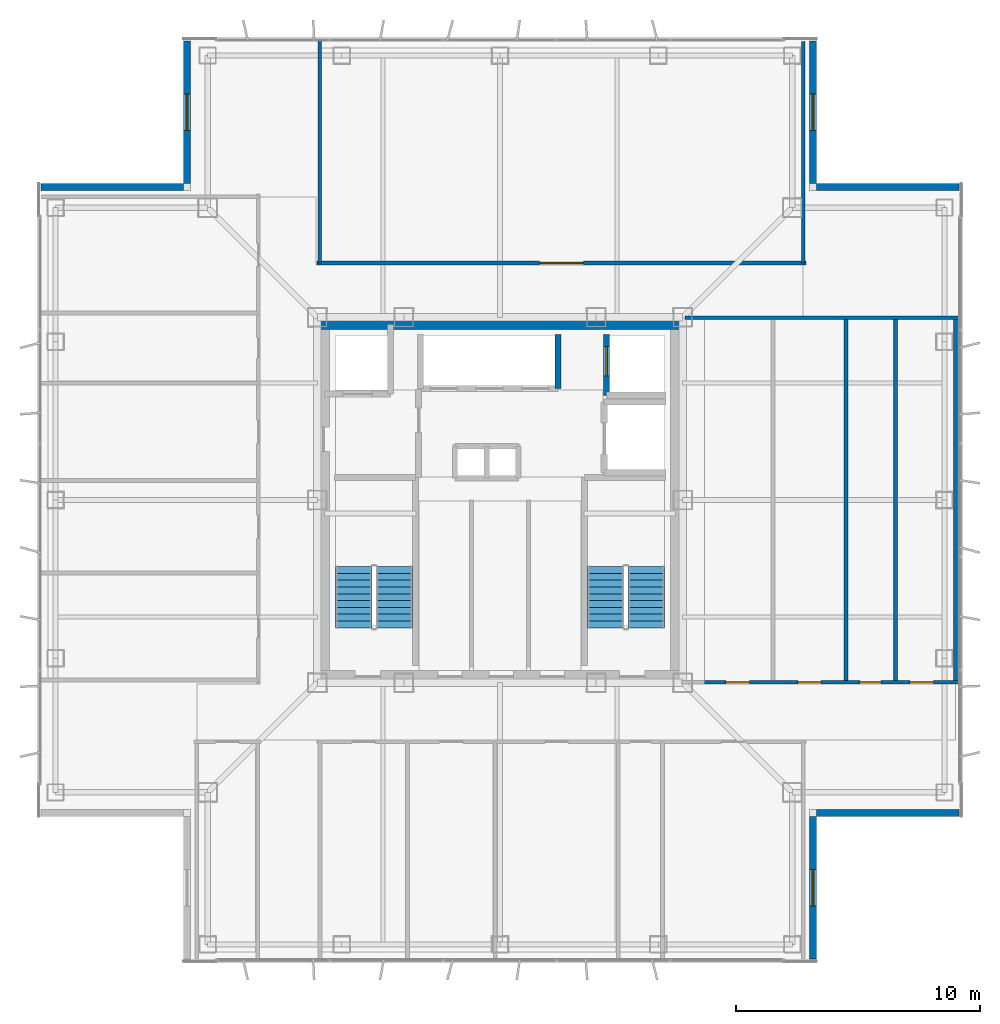
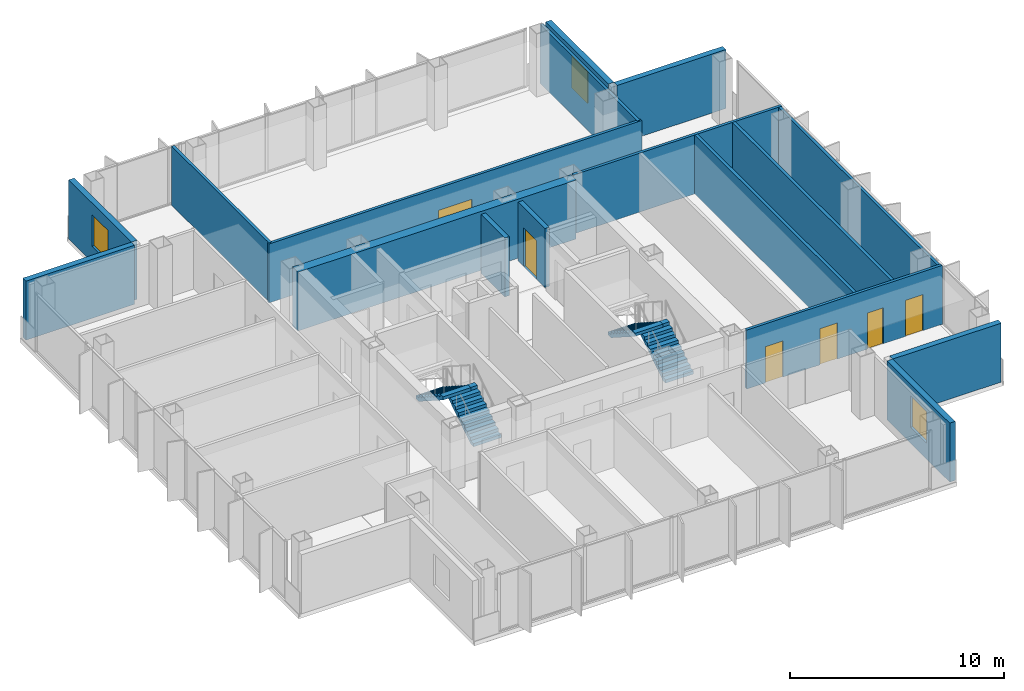
# One storey, part 9 of 15: 17 walls, 6 doors, 4 stair flights, 3 windows, 9 openings, 2 elements without a shape of their own.
"""IFC4 building model written with IfcOpenShell, lengths in metres."""

from ifc_helpers import new_model, si_unit, direction, frame, frame_2d, origin, place, context, subcontext, project, spatial, polyline, rectangle, outline, extrude, material, layer, layer_set, type_object, element, fill, aggregate, save


model = new_model("IFC4")

# Units and contexts
model_context = context("Model", 3, precision=1e-05, world=origin(), true_north=direction((0.0, 1.0)))
body_context = subcontext(model_context, "Body", "Model", "MODEL_VIEW")
ifc_project = project(units=[si_unit("LENGTHUNIT", "METRE"), si_unit("AREAUNIT", "SQUARE_METRE"), si_unit("VOLUMEUNIT", "CUBIC_METRE"), si_unit("PLANEANGLEUNIT", "RADIAN"), si_unit("MASSUNIT", "GRAM", prefix="KILO")], contexts=[model_context])

# Site, building, storey
site_placement = place(None, origin())
site = spatial("IfcSite", under=ifc_project, at=site_placement, CompositionType="ELEMENT")
building_placement = place(site_placement, origin())
building = spatial("IfcBuilding", under=site, at=building_placement, Name="Trevonay Congress Spire", CompositionType="ELEMENT")
storey_placement = place(building_placement, frame((0.0, 0.0, 293.60009765625)))
storey = spatial("IfcBuildingStorey", under=building, at=storey_placement, Name="L77", CompositionType="ELEMENT", Elevation=293.60009765625)

# Wall
ifc_material_1 = material(Name="Concrete C50/60", Category="concrete")
ifc_layer_1 = layer(ifc_material_1, 0.5, Name="Concrete C50/60")
ifc_layer_set_1 = layer_set([ifc_layer_1], Name="Concrete C50/60")
wall_type_1 = type_object("IfcWallType", Name="WAL-CORE-500", PredefinedType="SHEAR", material=ifc_layer_set_1)
wall_1_placement = place(storey_placement, frame((-7.5, 7.25, 0.0), z_axis=(0.0, 0.0, 1.0), x_axis=(1.0, 0.0, 0.0)))
element("IfcWall", 1, at=wall_1_placement, inside=storey, type_object=wall_type_1, Name="L77 North structural core shear wall", PredefinedType="SHEAR", context=body_context, shape_type="SweptSolid", body=[
    extrude(rectangle(XDim=15.0, YDim=0.5, at=frame_2d((7.5, 0.0))), origin(), (0.0, 0.0, 1.0), 3.35986328125),
])

# Wall, opening, door
ifc_material_2 = material(Name="Concrete C40/50", Category="concrete")
ifc_layer_2 = layer(ifc_material_2, 0.14990234375, Name="Concrete C40/50")
ifc_layer_set_2 = layer_set([ifc_layer_2], Name="Concrete C40/50")
wall_type_2 = type_object("IfcWallType", Name="WAL-CORR-150", PredefinedType="PARTITIONING", material=ifc_layer_set_2)
wall_2_placement = place(storey_placement, frame((-7.52001953125, 9.72998046875, 0.0), z_axis=(0.0, 0.0, 1.0), x_axis=(1.0, 0.0, 0.0)))
wall_2 = element("IfcWall", 2, at=wall_2_placement, inside=storey, type_object=wall_type_2, Name="L77 interior wall WP-L77N-COR", PredefinedType="PARTITIONING", context=body_context, shape_type="SweptSolid", body=[
    extrude(rectangle(XDim=20.090087890625, YDim=0.14990234375, at=frame_2d((10.044921875, 0.0))), origin(), (0.0, 0.0, 1.0), 3.35986328125),
])
opening_1_placement = place(wall_2_placement, frame((9.14501953125, 0.0, 0.0)))
opening_1 = element("IfcOpeningElement", 3, at=opening_1_placement, cuts=wall_2, Name="Opening D09", PredefinedType="OPENING", context=body_context, shape_type="SweptSolid", body=[
    extrude(rectangle(XDim=1.800048828125, YDim=2.080078125, at=frame_2d((0.89990234375, 1.0400390625))), frame((0.0, 0.0849609375, 0.0), z_axis=(0.0, -1.0, 0.0), x_axis=(1.0, 0.0, 0.0)), (0.0, 0.0, 1.0), 0.169921875),
])
ifc_material_3 = material(Name="Pale Anodised Aluminium EN AW-6063-T6", Category="aluminium")
door_type_1 = type_object("IfcDoorType", Name="DOR-CONF-DBL", OperationType="DOUBLE_DOOR_SINGLE_SWING", PredefinedType="DOOR", material=ifc_material_3)
door_1_placement = place(opening_1_placement, origin())
door_1 = element("IfcDoor", 4, at=door_1_placement, inside=storey, type_object=door_type_1, Name="L77 Harbour View Grand Banquet Dining Room Door", OperationType="DOUBLE_DOOR_SINGLE_SWING", OverallHeight=2.080078125, OverallWidth=1.800048828125, PredefinedType="DOOR", context=body_context, shape_type="SweptSolid", body=[
    extrude(rectangle(XDim=1.800048828125, YDim=2.080078125, at=frame_2d((0.89990234375, 1.0400390625))), frame((0.0, 0.02490234375, 0.0), z_axis=(0.0, -1.0, 0.0), x_axis=(1.0, 0.0, 0.0)), (0.0, 0.0, 1.0), 0.050048828125),
])
fill(opening_1, door_1)

# Wall, openings, doors
wall_3_placement = place(storey_placement, frame((8.280029296875, -7.47998046875, 0.0), z_axis=(0.0, 0.0, 1.0), x_axis=(1.0, 0.0, 0.0)))
wall_3 = element("IfcWall", 5, at=wall_3_placement, inside=storey, type_object=wall_type_2, Name="L77 interior wall WP-L77E-COR", PredefinedType="PARTITIONING", context=body_context, shape_type="SweptSolid", body=[
    extrude(rectangle(XDim=10.5400390625, YDim=0.14990234375, at=frame_2d((5.27001953125, 0.0))), origin(), (0.0, 0.0, 1.0), 3.35986328125),
])
opening_2_placement = place(wall_3_placement, frame((1.0048828125, 0.0, 0.0)))
opening_2 = element("IfcOpeningElement", 6, at=opening_2_placement, cuts=wall_3, Name="Opening D07", PredefinedType="OPENING", context=body_context, shape_type="SweptSolid", body=[
    extrude(rectangle(XDim=0.949951171875, YDim=2.06005859375, at=frame_2d((0.47509765625, 1.030029296875))), frame((0.0, 0.0849609375, 0.0), z_axis=(0.0, -1.0, 0.0), x_axis=(1.0, 0.0, 0.0)), (0.0, 0.0, 1.0), 0.169921875),
])
opening_3_placement = place(wall_3_placement, frame((3.945068359375, 0.0, 0.0)))
opening_3 = element("IfcOpeningElement", 7, at=opening_3_placement, cuts=wall_3, Name="Opening D07", PredefinedType="OPENING", context=body_context, shape_type="SweptSolid", body=[
    extrude(rectangle(XDim=0.949951171875, YDim=2.06005859375, at=frame_2d((0.47509765625, 1.030029296875))), frame((0.0, 0.0849609375, 0.0), z_axis=(0.0, -1.0, 0.0), x_axis=(1.0, 0.0, 0.0)), (0.0, 0.0, 1.0), 0.169921875),
])
opening_4_placement = place(wall_3_placement, frame((6.510009765625, 0.0, 0.0)))
opening_4 = element("IfcOpeningElement", 8, at=opening_4_placement, cuts=wall_3, Name="Opening D10", PredefinedType="OPENING", context=body_context, shape_type="SweptSolid", body=[
    extrude(rectangle(XDim=0.85009765625, YDim=2.050048828125, at=frame_2d((0.425048828125, 1.02490234375))), frame((0.0, 0.0849609375, 0.0), z_axis=(0.0, -1.0, 0.0), x_axis=(1.0, 0.0, 0.0)), (0.0, 0.0, 1.0), 0.169921875),
])
opening_5_placement = place(wall_3_placement, frame((8.56005859375, 0.0, 0.0)))
opening_5 = element("IfcOpeningElement", 9, at=opening_5_placement, cuts=wall_3, Name="Opening D07", PredefinedType="OPENING", context=body_context, shape_type="SweptSolid", body=[
    extrude(rectangle(XDim=0.949951171875, YDim=2.06005859375, at=frame_2d((0.47509765625, 1.030029296875))), frame((0.0, 0.0849609375, 0.0), z_axis=(0.0, -1.0, 0.0), x_axis=(1.0, 0.0, 0.0)), (0.0, 0.0, 1.0), 0.169921875),
])
door_type_2 = type_object("IfcDoorType", Name="DOR-OFFICE-95", OperationType="NOTDEFINED", PredefinedType="DOOR", material=ifc_material_3)
door_2_placement = place(opening_2_placement, origin())
door_2 = element("IfcDoor", 10, at=door_2_placement, inside=storey, type_object=door_type_2, Name="L77 Banquet Glassware Linen Store Door", OperationType="SINGLE_SWING_RIGHT", OverallHeight=2.06005859375, OverallWidth=0.949951171875, PredefinedType="DOOR", context=body_context, shape_type="SweptSolid", body=[
    extrude(rectangle(XDim=0.949951171875, YDim=2.06005859375, at=frame_2d((0.47509765625, 1.030029296875))), frame((0.0, 0.02490234375, 0.0), z_axis=(0.0, -1.0, 0.0), x_axis=(1.0, 0.0, 0.0)), (0.0, 0.0, 1.0), 0.050048828125),
])
fill(opening_2, door_2)
door_3_placement = place(opening_3_placement, origin())
door_3 = element("IfcDoor", 11, at=door_3_placement, inside=storey, type_object=door_type_2, Name="L77 Butler Servery Kitchen Door", OperationType="SINGLE_SWING_LEFT", OverallHeight=2.06005859375, OverallWidth=0.949951171875, PredefinedType="DOOR", context=body_context, shape_type="SweptSolid", body=[
    extrude(rectangle(XDim=0.949951171875, YDim=2.06005859375, at=frame_2d((0.47509765625, 1.030029296875))), frame((0.0, 0.02490234375, 0.0), z_axis=(0.0, -1.0, 0.0), x_axis=(1.0, 0.0, 0.0)), (0.0, 0.0, 1.0), 0.050048828125),
])
fill(opening_3, door_3)
door_4_placement = place(opening_5_placement, origin())
door_4 = element("IfcDoor", 12, at=door_4_placement, inside=storey, type_object=door_type_2, Name="L77 Floor Supplies and Copy Room Door", OperationType="SINGLE_SWING_LEFT", OverallHeight=2.06005859375, OverallWidth=0.949951171875, PredefinedType="DOOR", context=body_context, shape_type="SweptSolid", body=[
    extrude(rectangle(XDim=0.949951171875, YDim=2.06005859375, at=frame_2d((0.47509765625, 1.030029296875))), frame((0.0, 0.02490234375, 0.0), z_axis=(0.0, -1.0, 0.0), x_axis=(1.0, 0.0, 0.0)), (0.0, 0.0, 1.0), 0.050048828125),
])
fill(opening_5, door_4)
door_type_3 = type_object("IfcDoorType", Name="DOR-WC-85", OperationType="NOTDEFINED", PredefinedType="DOOR", material=ifc_material_3)
door_5_placement = place(opening_4_placement, origin())
door_5 = element("IfcDoor", 13, at=door_5_placement, inside=storey, type_object=door_type_3, Name="L77 Female Restroom WC Door", OperationType="SINGLE_SWING_RIGHT", OverallHeight=2.050048828125, OverallWidth=0.85009765625, PredefinedType="DOOR", context=body_context, shape_type="SweptSolid", body=[
    extrude(rectangle(XDim=0.85009765625, YDim=2.050048828125, at=frame_2d((0.425048828125, 1.02490234375))), frame((0.0, 0.02490234375, 0.0), z_axis=(0.0, -1.0, 0.0), x_axis=(1.0, 0.0, 0.0)), (0.0, 0.0, 1.0), 0.050048828125),
])
fill(opening_4, door_5)

# Wall, opening, window
ifc_material_4 = material(Name="Precast concrete C40/50", Category="concrete")
ifc_layer_3 = layer(ifc_material_4, 0.300048828125, Name="Precast concrete C40/50")
ifc_layer_set_3 = layer_set([ifc_layer_3], Name="Precast concrete C40/50")
wall_type_3 = type_object("IfcWallType", Name="WAL-EXT-PRECAST-300", PredefinedType="SOLIDWALL", material=ifc_layer_set_3)
wall_4_placement = place(storey_placement, frame((12.85009765625, -18.85009765625, 0.0), z_axis=(0.0, 0.0, 1.0), x_axis=(0.0, 1.0, 0.0)))
wall_4 = element("IfcWall", 14, at=wall_4_placement, inside=storey, type_object=wall_type_3, Name="L77 SE re-entrant notch exterior wall 1", PredefinedType="SOLIDWALL", context=body_context, shape_type="SweptSolid", body=[
    extrude(rectangle(XDim=5.85009765625, YDim=0.300048828125, at=frame_2d((2.925048828125, 0.0))), origin(), (0.0, 0.0, 1.0), 3.35986328125),
])
opening_6_placement = place(wall_4_placement, frame((2.175048828125, 0.0, 0.89990234375)))
opening_6 = element("IfcOpeningElement", 15, at=opening_6_placement, cuts=wall_4, Name="Opening WN03", PredefinedType="OPENING", context=body_context, shape_type="SweptSolid", body=[
    extrude(rectangle(XDim=1.5, YDim=1.800048828125, at=frame_2d((0.75, 0.89990234375))), frame((0.0, 0.16015625, 0.0), z_axis=(0.0, -1.0, 0.0), x_axis=(1.0, 0.0, 0.0)), (0.0, 0.0, 1.0), 0.320068359375),
])
ifc_material_5 = material(Name="Insulated Low-E Vision Glass IGU", Category="glass")
window_type = type_object("IfcWindowType", Name="WIN-NOTCH-150X180", PartitioningType="SINGLE_PANEL", PredefinedType="WINDOW", material=ifc_material_5)
window_1_placement = place(opening_6_placement, origin())
window_1 = element("IfcWindow", 16, at=window_1_placement, inside=storey, type_object=window_type, Name="L77 SE corner notch window", OverallHeight=1.800048828125, OverallWidth=1.5, PartitioningType="SINGLE_PANEL", PredefinedType="WINDOW", context=body_context, shape_type="SweptSolid", body=[
    extrude(rectangle(XDim=1.5, YDim=1.800048828125, at=frame_2d((0.75, 0.89990234375))), frame((0.0, 0.030029296875, 0.0), z_axis=(0.0, -1.0, 0.0), x_axis=(1.0, 0.0, 0.0)), (0.0, 0.0, 1.0), 0.06005859375),
])
fill(opening_6, window_1)

# Wall
wall_5_placement = place(storey_placement, frame((18.85009765625, -12.85009765625, 0.0), z_axis=(0.0, 0.0, 1.0), x_axis=(-1.0, 0.0, 0.0)))
element("IfcWall", 17, at=wall_5_placement, inside=storey, type_object=wall_type_3, Name="L77 SE re-entrant notch exterior wall 2", PredefinedType="SOLIDWALL", context=body_context, shape_type="SweptSolid", body=[
    extrude(rectangle(XDim=5.85009765625, YDim=0.300048828125, at=frame_2d((2.925048828125, 0.0))), origin(), (0.0, 0.0, 1.0), 3.35986328125),
])

# Wall, opening, window
wall_6_placement = place(storey_placement, frame((12.85009765625, 18.85009765625, 0.0), z_axis=(0.0, 0.0, 1.0), x_axis=(0.0, -1.0, 0.0)))
wall_6 = element("IfcWall", 18, at=wall_6_placement, inside=storey, type_object=wall_type_3, Name="L77 NE re-entrant notch exterior wall 1", PredefinedType="SOLIDWALL", context=body_context, shape_type="SweptSolid", body=[
    extrude(rectangle(XDim=5.85009765625, YDim=0.300048828125, at=frame_2d((2.925048828125, 0.0))), origin(), (0.0, 0.0, 1.0), 3.35986328125),
])
opening_7_placement = place(wall_6_placement, frame((2.175048828125, 0.0, 0.89990234375)))
opening_7 = element("IfcOpeningElement", 19, at=opening_7_placement, cuts=wall_6, Name="Opening WN03", PredefinedType="OPENING", context=body_context, shape_type="SweptSolid", body=[
    extrude(rectangle(XDim=1.5, YDim=1.800048828125, at=frame_2d((0.75, 0.89990234375))), frame((0.0, 0.16015625, 0.0), z_axis=(0.0, -1.0, 0.0), x_axis=(1.0, 0.0, 0.0)), (0.0, 0.0, 1.0), 0.320068359375),
])
window_2_placement = place(opening_7_placement, origin())
window_2 = element("IfcWindow", 20, at=window_2_placement, inside=storey, type_object=window_type, Name="L77 NE corner notch window", OverallHeight=1.800048828125, OverallWidth=1.5, PartitioningType="SINGLE_PANEL", PredefinedType="WINDOW", context=body_context, shape_type="SweptSolid", body=[
    extrude(rectangle(XDim=1.5, YDim=1.800048828125, at=frame_2d((0.75, 0.89990234375))), frame((0.0, 0.030029296875, 0.0), z_axis=(0.0, -1.0, 0.0), x_axis=(1.0, 0.0, 0.0)), (0.0, 0.0, 1.0), 0.06005859375),
])
fill(opening_7, window_2)

# Wall
wall_7_placement = place(storey_placement, frame((18.85009765625, 12.85009765625, 0.0), z_axis=(0.0, 0.0, 1.0), x_axis=(-1.0, 0.0, 0.0)))
element("IfcWall", 21, at=wall_7_placement, inside=storey, type_object=wall_type_3, Name="L77 NE re-entrant notch exterior wall 2", PredefinedType="SOLIDWALL", context=body_context, shape_type="SweptSolid", body=[
    extrude(rectangle(XDim=5.85009765625, YDim=0.300048828125, at=frame_2d((2.925048828125, 0.0))), origin(), (0.0, 0.0, 1.0), 3.35986328125),
])

# Wall, opening, window
wall_8_placement = place(storey_placement, frame((-12.85009765625, 18.85009765625, 0.0), z_axis=(0.0, 0.0, 1.0), x_axis=(0.0, -1.0, 0.0)))
wall_8 = element("IfcWall", 22, at=wall_8_placement, inside=storey, type_object=wall_type_3, Name="L77 NW re-entrant notch exterior wall 1", PredefinedType="SOLIDWALL", context=body_context, shape_type="SweptSolid", body=[
    extrude(rectangle(XDim=5.85009765625, YDim=0.300048828125, at=frame_2d((2.925048828125, 0.0))), origin(), (0.0, 0.0, 1.0), 3.35986328125),
])
opening_8_placement = place(wall_8_placement, frame((2.175048828125, 0.0, 0.89990234375)))
opening_8 = element("IfcOpeningElement", 23, at=opening_8_placement, cuts=wall_8, Name="Opening WN03", PredefinedType="OPENING", context=body_context, shape_type="SweptSolid", body=[
    extrude(rectangle(XDim=1.5, YDim=1.800048828125, at=frame_2d((0.75, 0.89990234375))), frame((0.0, 0.16015625, 0.0), z_axis=(0.0, -1.0, 0.0), x_axis=(1.0, 0.0, 0.0)), (0.0, 0.0, 1.0), 0.320068359375),
])
window_3_placement = place(opening_8_placement, origin())
window_3 = element("IfcWindow", 24, at=window_3_placement, inside=storey, type_object=window_type, Name="L77 NW corner notch window", OverallHeight=1.800048828125, OverallWidth=1.5, PartitioningType="SINGLE_PANEL", PredefinedType="WINDOW", context=body_context, shape_type="SweptSolid", body=[
    extrude(rectangle(XDim=1.5, YDim=1.800048828125, at=frame_2d((0.75, 0.89990234375))), frame((0.0, 0.030029296875, 0.0), z_axis=(0.0, -1.0, 0.0), x_axis=(1.0, 0.0, 0.0)), (0.0, 0.0, 1.0), 0.06005859375),
])
fill(opening_8, window_3)

# Walls
wall_9_placement = place(storey_placement, frame((-18.85009765625, 12.85009765625, 0.0), z_axis=(0.0, 0.0, 1.0), x_axis=(1.0, 0.0, 0.0)))
element("IfcWall", 25, at=wall_9_placement, inside=storey, type_object=wall_type_3, Name="L77 NW re-entrant notch exterior wall 2", PredefinedType="SOLIDWALL", context=body_context, shape_type="SweptSolid", body=[
    extrude(rectangle(XDim=5.85009765625, YDim=0.300048828125, at=frame_2d((2.925048828125, 0.0))), origin(), (0.0, 0.0, 1.0), 3.35986328125),
])
ifc_layer_4 = layer(ifc_material_2, 0.14990234375, Name="Concrete C40/50")
ifc_layer_set_4 = layer_set([ifc_layer_4], Name="Concrete C40/50")
wall_type_4 = type_object("IfcWallType", Name="WAL-PART-150", PredefinedType="PARTITIONING", material=ifc_layer_set_4)
for number, where, z_axis, x_axis, name in (
    (26, (-7.39990234375, 9.72998046875, 0.0), (0.0, 0.0, 1.0), (0.0, 1.0, 0.0), "L77 interior wall WP-L77N-DIV1"),
    (27, (12.449951171875, 9.72998046875, 0.0), (0.0, 0.0, 1.0), (0.0, 1.0, 0.0), "L77 interior wall WP-L77N-DIV2"),
):
    element("IfcWall", number, at=place(storey_placement, frame(where, z_axis=z_axis, x_axis=x_axis)), inside=storey, type_object=wall_type_4, Name=name, PredefinedType="PARTITIONING", context=body_context, shape_type="SweptSolid", body=[
        extrude(rectangle(XDim=9.090087890625, YDim=0.14990234375, at=frame_2d((4.544921875, 0.0))), origin(), (0.0, 0.0, 1.0), 3.35986328125),
    ])
wall_10_placement = place(storey_placement, frame((18.699951171875, -7.47998046875, 0.0), z_axis=(0.0, 0.0, 1.0), x_axis=(0.0, 1.0, 0.0)))
element("IfcWall", 28, at=wall_10_placement, inside=storey, type_object=wall_type_4, Name="L77 interior wall WP-L77E-DIV3", PredefinedType="PARTITIONING", context=body_context, shape_type="SweptSolid", body=[
    extrude(rectangle(XDim=14.89990234375, YDim=0.14990234375, at=frame_2d((7.449951171875, 0.0))), origin(), (0.0, 0.0, 1.0), 3.35986328125),
])
wall_11_placement = place(storey_placement, frame((7.60009765625, 7.47998046875, 0.0), z_axis=(0.0, 0.0, 1.0), x_axis=(1.0, 0.0, 0.0)))
element("IfcWall", 29, at=wall_11_placement, inside=storey, type_object=wall_type_4, Name="L77 interior wall WP-L77E-NCLS", PredefinedType="PARTITIONING", context=body_context, shape_type="SweptSolid", body=[
    extrude(rectangle(XDim=11.219970703125, YDim=0.14990234375, at=frame_2d((5.60986328125, 0.0))), origin(), (0.0, 0.0, 1.0), 3.35986328125),
])
ifc_layer_5 = layer(ifc_material_2, 0.25, Name="Concrete C40/50")
ifc_layer_set_5 = layer_set([ifc_layer_5], Name="Concrete C40/50")
wall_type_5 = type_object("IfcWallType", Name="WAL-SHAFT-250", PredefinedType="SHEAR", material=ifc_layer_set_5)
wall_12_placement = place(storey_placement, frame((2.3798828125, 4.580078125, 0.0), z_axis=(0.0, 0.0, 1.0), x_axis=(0.0, 1.0, 0.0)))
element("IfcWall", 30, at=wall_12_placement, inside=storey, type_object=wall_type_5, Name="L77 interior shaft wall WSH-L77-B3-E", PredefinedType="SHEAR", context=body_context, shape_type="SweptSolid", body=[
    extrude(rectangle(XDim=2.219970703125, YDim=0.25, at=frame_2d((1.10986328125, 0.0))), origin(), (0.0, 0.0, 1.0), 3.35986328125),
])

# Wall, opening, door
wall_13_placement = place(storey_placement, frame((4.3798828125, 4.300048828125, 0.0), z_axis=(0.0, 0.0, 1.0), x_axis=(0.0, 1.0, 0.0)))
wall_13 = element("IfcWall", 31, at=wall_13_placement, inside=storey, type_object=wall_type_5, Name="L77 interior shaft wall WSH-L77-FF2-W", PredefinedType="SHEAR", context=body_context, shape_type="SweptSolid", body=[
    extrude(rectangle(XDim=2.5, YDim=0.25, at=frame_2d((1.25, 0.0))), origin(), (0.0, 0.0, 1.0), 3.35986328125),
])
opening_9_placement = place(wall_13_placement, frame((0.800048828125, 0.0, 0.0)))
opening_9 = element("IfcOpeningElement", 32, at=opening_9_placement, cuts=wall_13, Name="Opening LD04", PredefinedType="OPENING", context=body_context, shape_type="SweptSolid", body=[
    extrude(rectangle(XDim=1.199951171875, YDim=2.199951171875, at=frame_2d((0.60009765625, 1.10009765625))), frame((0.0, 0.135009765625, 0.0), z_axis=(0.0, -1.0, 0.0), x_axis=(1.0, 0.0, 0.0)), (0.0, 0.0, 1.0), 0.27001953125),
])
ifc_material_6 = material(Name="Steel ASTM A572 Grade 50", Category="steel")
door_type_4 = type_object("IfcDoorType", Name="DOR-LIFT-LD04", OperationType="DOUBLE_DOOR_SLIDING", PredefinedType="DOOR", material=ifc_material_6)
door_6_placement = place(opening_9_placement, origin())
door_6 = element("IfcDoor", 33, at=door_6_placement, inside=storey, type_object=door_type_4, Name="L77 Firefighting lift FFL-02 landing door", OperationType="DOUBLE_DOOR_SLIDING", OverallHeight=2.199951171875, OverallWidth=1.199951171875, PredefinedType="DOOR", context=body_context, shape_type="SweptSolid", body=[
    extrude(rectangle(XDim=1.199951171875, YDim=2.199951171875, at=frame_2d((0.60009765625, 1.10009765625))), frame((0.0, 0.02490234375, 0.0), z_axis=(0.0, -1.0, 0.0), x_axis=(1.0, 0.0, 0.0)), (0.0, 0.0, 1.0), 0.050048828125),
])
fill(opening_9, door_6)

# Walls
ifc_layer_6 = layer(ifc_material_2, 0.1650390625, Name="Concrete C40/50")
ifc_layer_set_6 = layer_set([ifc_layer_6], Name="Concrete C40/50")
wall_type_6 = type_object("IfcWallType", Name="WAL-WET-165", PredefinedType="PLUMBINGWALL", material=ifc_layer_set_6)
for number, where, z_axis, x_axis, name in (
    (34, (16.22998046875, -7.47998046875, 0.0), (0.0, 0.0, 1.0), (0.0, 1.0, 0.0), "L77 interior wall WP-L77E-WCS3"),
    (35, (14.199951171875, -7.47998046875, 0.0), (0.0, 0.0, 1.0), (0.0, 1.0, 0.0), "L77 interior wall WP-L77E-DIV2"),
):
    element("IfcWall", number, at=place(storey_placement, frame(where, z_axis=z_axis, x_axis=x_axis)), inside=storey, type_object=wall_type_6, Name=name, PredefinedType="PLUMBINGWALL", context=body_context, shape_type="SweptSolid", body=[
        extrude(rectangle(XDim=14.89990234375, YDim=0.1650390625, at=frame_2d((7.449951171875, 0.0))), origin(), (0.0, 0.0, 1.0), 3.35986328125),
    ])

# Stair, stair flights
stair_type_1 = type_object("IfcStairType", Name="STR-ST-1", PredefinedType="HALF_TURN_STAIR", material=ifc_material_2)
stair_1_placement = place(storey_placement, origin())
stair_1 = element("IfcStair", 36, at=stair_1_placement, inside=storey, type_object=stair_type_1, Name="L77 Protected Exit Stair ST-1", PredefinedType="HALF_TURN_STAIR")
stair_flight_type_1 = type_object("IfcStairFlightType", Name="SFL-ST-1", PredefinedType="STRAIGHT", material=ifc_material_2)
stair_flight_1_placement = place(storey_placement, frame((-4.35009765625, -5.25, 0.0), z_axis=(0.0, 0.0, 1.0), x_axis=(0.0, 1.0, 0.0)))
stair_flight_1 = element("IfcStairFlight", 37, at=stair_flight_1_placement, type_object=stair_flight_type_1, Name="ST-1 flight 1", NumberOfRisers=10, NumberOfTreads=9, PredefinedType="STRAIGHT", RiserHeight=0.18, TreadLength=0.28, context=body_context, shape_type="SweptSolid", body=[
    extrude(outline(polyline([(0.0, 0.0), (0.0, 0.179931640625), (0.280029296875, 0.179931640625), (0.280029296875, 0.360107421875), (0.56005859375, 0.360107421875), (0.56005859375, 0.5400390625), (0.840087890625, 0.5400390625), (0.840087890625, 0.719970703125), (1.1201171875, 0.719970703125), (1.1201171875, 0.89990234375), (1.39990234375, 0.89990234375), (1.39990234375, 1.080078125), (1.679931640625, 1.080078125), (1.679931640625, 1.260009765625), (1.9599609375, 1.260009765625), (1.9599609375, 1.43994140625), (2.239990234375, 1.43994140625), (2.239990234375, 1.6201171875), (2.52001953125, 1.6201171875), (2.52001953125, 1.800048828125), (2.52001953125, 1.44189453125), (0.277099609375, 0.0), (0.0, 0.0)])), frame((0.0, 0.75, 0.0), z_axis=(0.0, -1.0, 0.0), x_axis=(1.0, 0.0, 0.0)), (0.0, 0.0, 1.0), 1.5),
])
stair_flight_2_placement = place(storey_placement, frame((-6.0, -2.72998046875, 1.7998046875), z_axis=(0.0, 0.0, 1.0), x_axis=(0.0, -1.0, 0.0)))
stair_flight_2 = element("IfcStairFlight", 38, at=stair_flight_2_placement, type_object=stair_flight_type_1, Name="ST-1 flight 2", NumberOfRisers=10, NumberOfTreads=9, PredefinedType="STRAIGHT", RiserHeight=0.18, TreadLength=0.28, context=body_context, shape_type="SweptSolid", body=[
    extrude(outline(polyline([(0.0, 0.0), (0.0, 0.179931640625), (0.280029296875, 0.179931640625), (0.280029296875, 0.360107421875), (0.56005859375, 0.360107421875), (0.56005859375, 0.5400390625), (0.840087890625, 0.5400390625), (0.840087890625, 0.719970703125), (1.1201171875, 0.719970703125), (1.1201171875, 0.89990234375), (1.39990234375, 0.89990234375), (1.39990234375, 1.080078125), (1.679931640625, 1.080078125), (1.679931640625, 1.260009765625), (1.9599609375, 1.260009765625), (1.9599609375, 1.43994140625), (2.239990234375, 1.43994140625), (2.239990234375, 1.6201171875), (2.52001953125, 1.6201171875), (2.52001953125, 1.800048828125), (2.52001953125, 1.44189453125), (0.277099609375, 0.0), (0.0, 0.0)])), frame((0.0, 0.75, 0.0), z_axis=(0.0, -1.0, 0.0), x_axis=(1.0, 0.0, 0.0)), (0.0, 0.0, 1.0), 1.5),
])
aggregate(stair_1, [stair_flight_1, stair_flight_2])

stair_type_2 = type_object("IfcStairType", Name="STR-ST-2", PredefinedType="HALF_TURN_STAIR", material=ifc_material_2)
stair_2_placement = place(storey_placement, origin())
stair_2 = element("IfcStair", 39, at=stair_2_placement, inside=storey, type_object=stair_type_2, Name="L77 Protected Exit Stair ST-2", PredefinedType="HALF_TURN_STAIR")
stair_flight_type_2 = type_object("IfcStairFlightType", Name="SFL-ST-2", PredefinedType="STRAIGHT", material=ifc_material_2)
stair_flight_3_placement = place(storey_placement, frame((6.0, -5.25, 0.0), z_axis=(0.0, 0.0, 1.0), x_axis=(0.0, 1.0, 0.0)))
stair_flight_3 = element("IfcStairFlight", 40, at=stair_flight_3_placement, type_object=stair_flight_type_2, Name="ST-2 flight 1", NumberOfRisers=10, NumberOfTreads=9, PredefinedType="STRAIGHT", RiserHeight=0.18, TreadLength=0.28, context=body_context, shape_type="SweptSolid", body=[
    extrude(outline(polyline([(0.0, 0.0), (0.0, 0.179931640625), (0.280029296875, 0.179931640625), (0.280029296875, 0.360107421875), (0.56005859375, 0.360107421875), (0.56005859375, 0.5400390625), (0.840087890625, 0.5400390625), (0.840087890625, 0.719970703125), (1.1201171875, 0.719970703125), (1.1201171875, 0.89990234375), (1.39990234375, 0.89990234375), (1.39990234375, 1.080078125), (1.679931640625, 1.080078125), (1.679931640625, 1.260009765625), (1.9599609375, 1.260009765625), (1.9599609375, 1.43994140625), (2.239990234375, 1.43994140625), (2.239990234375, 1.6201171875), (2.52001953125, 1.6201171875), (2.52001953125, 1.800048828125), (2.52001953125, 1.44189453125), (0.277099609375, 0.0), (0.0, 0.0)])), frame((0.0, 0.75, 0.0), z_axis=(0.0, -1.0, 0.0), x_axis=(1.0, 0.0, 0.0)), (0.0, 0.0, 1.0), 1.5),
])
stair_flight_4_placement = place(storey_placement, frame((4.35009765625, -2.72998046875, 1.7998046875), z_axis=(0.0, 0.0, 1.0), x_axis=(0.0, -1.0, 0.0)))
stair_flight_4 = element("IfcStairFlight", 41, at=stair_flight_4_placement, type_object=stair_flight_type_2, Name="ST-2 flight 2", NumberOfRisers=10, NumberOfTreads=9, PredefinedType="STRAIGHT", RiserHeight=0.18, TreadLength=0.28, context=body_context, shape_type="SweptSolid", body=[
    extrude(outline(polyline([(0.0, 0.0), (0.0, 0.179931640625), (0.280029296875, 0.179931640625), (0.280029296875, 0.360107421875), (0.56005859375, 0.360107421875), (0.56005859375, 0.5400390625), (0.840087890625, 0.5400390625), (0.840087890625, 0.719970703125), (1.1201171875, 0.719970703125), (1.1201171875, 0.89990234375), (1.39990234375, 0.89990234375), (1.39990234375, 1.080078125), (1.679931640625, 1.080078125), (1.679931640625, 1.260009765625), (1.9599609375, 1.260009765625), (1.9599609375, 1.43994140625), (2.239990234375, 1.43994140625), (2.239990234375, 1.6201171875), (2.52001953125, 1.6201171875), (2.52001953125, 1.800048828125), (2.52001953125, 1.44189453125), (0.277099609375, 0.0), (0.0, 0.0)])), frame((0.0, 0.75, 0.0), z_axis=(0.0, -1.0, 0.0), x_axis=(1.0, 0.0, 0.0)), (0.0, 0.0, 1.0), 1.5),
])
aggregate(stair_2, [stair_flight_3, stair_flight_4])

save(model, "model.ifc")
